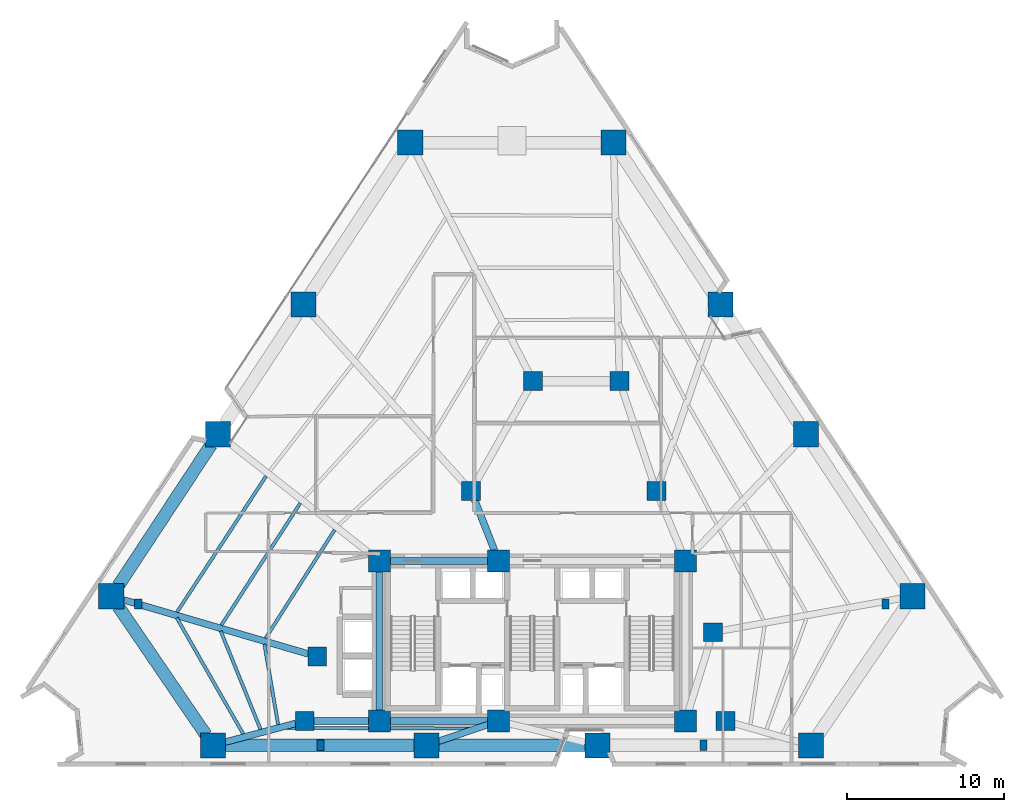
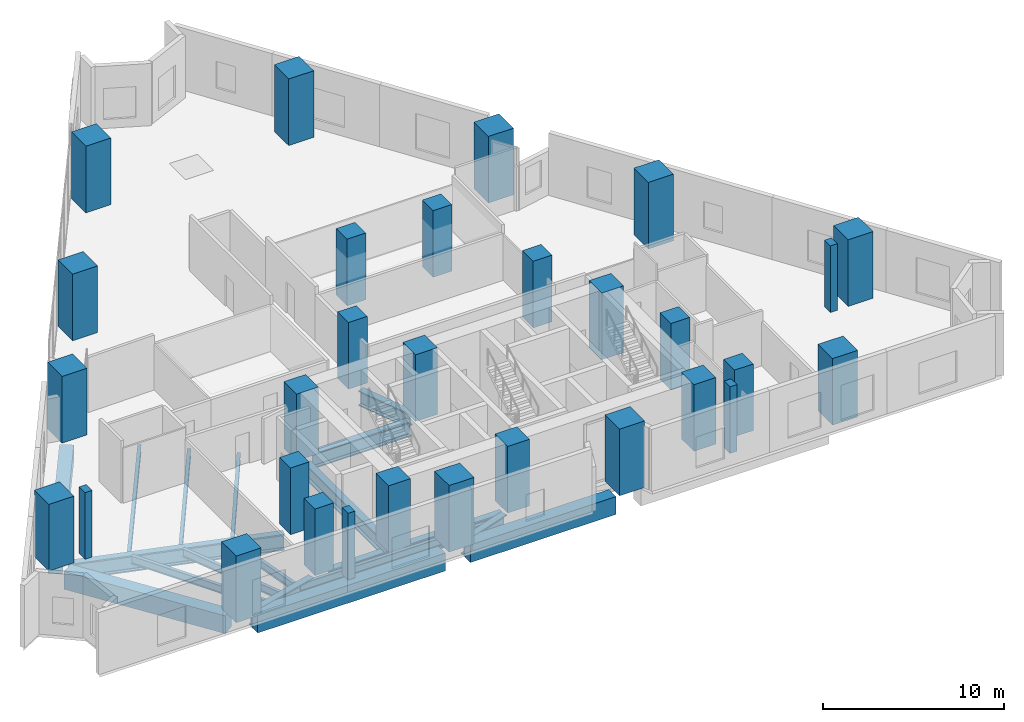
# One storey, part 1 of 12: 30 columns, 19 beams.
"""IFC4 building model written with IfcOpenShell, lengths in metres."""

from ifc_helpers import new_model, si_unit, direction, frame, origin, origin_2d, place, context, subcontext, project, spatial, rectangle, i_section, extrude, material, material_profile, profile_set, type_object, element, save


model = new_model("IFC4")

# Units and contexts
model_context = context("Model", 3, precision=1e-05, world=origin(), true_north=direction((0.0, 1.0)))
body_context = subcontext(model_context, "Body", "Model", "MODEL_VIEW")
ifc_project = project(units=[si_unit("LENGTHUNIT", "METRE"), si_unit("AREAUNIT", "SQUARE_METRE"), si_unit("VOLUMEUNIT", "CUBIC_METRE"), si_unit("PLANEANGLEUNIT", "RADIAN"), si_unit("MASSUNIT", "GRAM", prefix="KILO")], contexts=[model_context])

# Site, building, storey
site_placement = place(None, origin())
site = spatial("IfcSite", under=ifc_project, at=site_placement, CompositionType="ELEMENT")
building_placement = place(site_placement, origin())
building = spatial("IfcBuilding", under=site, at=building_placement, Name="Almagre Mirador Tower", CompositionType="ELEMENT")
storey_placement = place(building_placement, frame((0.0, 0.0, 17.39990234375)))
storey = spatial("IfcBuildingStorey", under=building, at=storey_placement, Name="L03", CompositionType="ELEMENT", Elevation=17.39990234375)

# Columns
ifc_material_1 = material(Name="Precast concrete C50/60", Category="concrete")
ifc_material_profile_1 = material_profile(ifc_material_1, rectangle(XDim=0.449951171875, YDim=0.64990234375, at=origin_2d()), Name="RC450X650")
ifc_profile_set_1 = profile_set([ifc_material_profile_1], Name="Precast concrete C50/60")
column_type_1 = type_object("IfcColumnType", Name="COL-PIL-450X650", PredefinedType="PILASTER", material=ifc_profile_set_1)
for number, where, z_axis, x_axis, name in (
    (1, (23.800048828125, 3.0, 0.0), (0.0, 0.0, 1.0), (1.0, 0.0, 0.0), "L03 expressed frame pilaster 01"),
    (2, (48.199951171875, 3.0, 0.0), (0.0, 0.0, 1.0), (1.0, 0.0, 0.0), "L03 expressed frame pilaster 02"),
    (3, (12.199951171875, 12.0, 0.0), (0.0, 0.0, 1.0), (1.0, 0.0, 0.0), "L03 expressed frame pilaster 03"),
    (4, (59.800048828125, 12.0, 0.0), (0.0, 0.0, 1.0), (1.0, 0.0, 0.0), "L03 expressed frame pilaster 04"),
):
    element("IfcColumn", number, at=place(storey_placement, frame(where, z_axis=z_axis, x_axis=x_axis)), inside=storey, type_object=column_type_1, Name=name, PredefinedType="PILASTER", context=body_context, shape_type="SweptSolid", body=[
        extrude(rectangle(XDim=0.449951171875, YDim=0.64990234375, at=origin_2d()), origin(), (0.0, 0.0, 1.0), 4.5),
    ])
ifc_material_2 = material(Name="Concrete C60/75", Category="concrete")
ifc_material_profile_2 = material_profile(ifc_material_2, rectangle(XDim=1.199951171875, YDim=1.199951171875, at=origin_2d()), Name="RC1200X1200")
ifc_profile_set_2 = profile_set([ifc_material_profile_2], Name="Concrete C60/75")
column_type_2 = type_object("IfcColumnType", Name="COL-RC1200", PredefinedType="COLUMN", material=ifc_profile_set_2)
for number, where, z_axis, x_axis, name in (
    (5, (22.800048828125, 4.550048828125, 0.0), (0.0, 0.0, 1.0), (1.0, 0.0, 0.0), "L03 interior transfer column MC1"),
    (6, (49.60009765625, 4.550048828125, 0.0), (0.0, 0.0, 1.0), (1.0, 0.0, 0.0), "L03 interior transfer column MC2"),
    (7, (48.800048828125, 10.199951171875, 0.0), (0.0, 0.0, 1.0), (1.0, 0.0, 0.0), "L03 interior transfer column MC3"),
    (8, (45.199951171875, 19.199951171875, 0.0), (0.0, 0.0, 1.0), (1.0, 0.0, 0.0), "L03 interior transfer column MC5"),
    (9, (42.85009765625, 26.199951171875, 0.0), (0.0, 0.0, 1.0), (1.0, 0.0, 0.0), "L03 interior transfer column MC6"),
    (10, (37.35009765625, 26.199951171875, 0.0), (0.0, 0.0, 1.0), (1.0, 0.0, 0.0), "L03 interior transfer column MC7"),
    (11, (33.39990234375, 19.199951171875, 0.0), (0.0, 0.0, 1.0), (1.0, 0.0, 0.0), "L03 interior transfer column MC8"),
    (12, (23.60009765625, 8.64990234375, 0.0), (0.0, 0.0, 1.0), (1.0, 0.0, 0.0), "L03 interior transfer column MC10"),
):
    element("IfcColumn", number, at=place(storey_placement, frame(where, z_axis=z_axis, x_axis=x_axis)), inside=storey, type_object=column_type_2, Name=name, PredefinedType="COLUMN", context=body_context, shape_type="SweptSolid", body=[
        extrude(rectangle(XDim=1.199951171875, YDim=1.199951171875, at=origin_2d()), origin(), (0.0, 0.0, 1.0), 4.5),
    ])
ifc_material_3 = material(Name="Concrete C60/75", Category="concrete")
ifc_material_profile_3 = material_profile(ifc_material_3, rectangle(XDim=1.39990234375, YDim=1.39990234375, at=origin_2d()), Name="RC1400X1400")
ifc_profile_set_3 = profile_set([ifc_material_profile_3], Name="Concrete C60/75")
column_type_3 = type_object("IfcColumnType", Name="COL-RC1400", PredefinedType="COLUMN", material=ifc_profile_set_3)
for number, where, z_axis, x_axis, name in (
    (13, (27.550048828125, 4.550048828125, 0.0), (0.0, 0.0, 1.0), (1.0, 0.0, 0.0), "L03 core spine column CC1"),
    (14, (35.14990234375, 4.550048828125, 0.0), (0.0, 0.0, 1.0), (1.0, 0.0, 0.0), "L03 core spine column CC2"),
    (15, (47.050048828125, 4.550048828125, 0.0), (0.0, 0.0, 1.0), (1.0, 0.0, 0.0), "L03 core spine column CC3"),
    (16, (27.550048828125, 14.75, 0.0), (0.0, 0.0, 1.0), (1.0, 0.0, 0.0), "L03 core spine column CC4"),
    (17, (35.14990234375, 14.75, 0.0), (0.0, 0.0, 1.0), (1.0, 0.0, 0.0), "L03 core spine column CC5"),
    (18, (47.050048828125, 14.75, 0.0), (0.0, 0.0, 1.0), (1.0, 0.0, 0.0), "L03 core spine column CC6"),
):
    element("IfcColumn", number, at=place(storey_placement, frame(where, z_axis=z_axis, x_axis=x_axis)), inside=storey, type_object=column_type_3, Name=name, PredefinedType="COLUMN", context=body_context, shape_type="SweptSolid", body=[
        extrude(rectangle(XDim=1.39990234375, YDim=1.39990234375, at=origin_2d()), origin(), (0.0, 0.0, 1.0), 4.5),
    ])
ifc_material_4 = material(Name="Concrete C70/85", Category="concrete")
ifc_material_profile_4 = material_profile(ifc_material_4, rectangle(XDim=1.60009765625, YDim=1.60009765625, at=origin_2d()), Name="RC1600X1600")
ifc_profile_set_4 = profile_set([ifc_material_profile_4], Name="Concrete C70/85")
column_type_4 = type_object("IfcColumnType", Name="COL-RC1600", PredefinedType="COLUMN", material=ifc_profile_set_4)
for number, where, z_axis, x_axis, name in (
    (19, (16.9599609375, 3.0, 0.0), (0.0, 0.0, 1.0), (1.0, 0.0, 0.0), "L03 perimeter column PC01"),
    (20, (30.56005859375, 3.0, 0.0), (0.0, 0.0, 1.0), (1.0, 0.0, 0.0), "L03 perimeter column PC02"),
    (21, (41.43994140625, 3.0, 0.0), (0.0, 0.0, 1.0), (1.0, 0.0, 0.0), "L03 perimeter column PC03"),
    (22, (55.0400390625, 3.0, 0.0), (0.0, 0.0, 1.0), (1.0, 0.0, 0.0), "L03 perimeter column PC04"),
    (23, (61.51806640625, 12.491943359375, 0.0), (0.0, 0.0, 1.0), (1.0, 0.0, 0.0), "L03 perimeter column PC05"),
    (24, (54.718017578125, 22.81201171875, 0.0), (0.0, 0.0, 1.0), (1.0, 0.0, 0.0), "L03 perimeter column PC06"),
    (25, (49.278076171875, 31.068115234375, 0.0), (0.0, 0.0, 1.0), (1.0, 0.0, 0.0), "L03 perimeter column PC07"),
    (26, (42.47802734375, 41.387939453125, 0.0), (0.0, 0.0, 1.0), (1.0, 0.0, 0.0), "L03 perimeter column PC08"),
    (27, (29.52197265625, 41.387939453125, 0.0), (0.0, 0.0, 1.0), (1.0, 0.0, 0.0), "L03 perimeter column PC09"),
    (28, (22.721923828125, 31.068115234375, 0.0), (0.0, 0.0, 1.0), (1.0, 0.0, 0.0), "L03 perimeter column PC10"),
    (29, (17.281982421875, 22.81201171875, 0.0), (0.0, 0.0, 1.0), (1.0, 0.0, 0.0), "L03 perimeter column PC11"),
    (30, (10.48193359375, 12.491943359375, 0.0), (0.0, 0.0, 1.0), (1.0, 0.0, 0.0), "L03 perimeter column PC12"),
):
    element("IfcColumn", number, at=place(storey_placement, frame(where, z_axis=z_axis, x_axis=x_axis)), inside=storey, type_object=column_type_4, Name=name, PredefinedType="COLUMN", context=body_context, shape_type="SweptSolid", body=[
        extrude(rectangle(XDim=1.60009765625, YDim=1.60009765625, at=origin_2d()), origin(), (0.0, 0.0, 1.0), 4.5),
    ])

# Beams
ifc_material_5 = material(Name="Steel ASTM A992 Grade 50", Category="steel")
ifc_material_profile_5 = material_profile(ifc_material_5, i_section(OverallWidth=0.208984375, OverallDepth=0.532958984375, WebThickness=0.01025390625, FlangeThickness=0.015625, FilletRadius=0.01806640625, at=origin_2d()), Name="W21X62")
ifc_profile_set_5 = profile_set([ifc_material_profile_5], Name="Steel ASTM A992 Grade 50")
beam_type_1 = type_object("IfcBeamType", Name="BM-JST-W21X62", PredefinedType="JOIST", material=ifc_profile_set_5)
beam_1_placement = place(storey_placement, frame((21.355224609375, 4.109619140625, -0.56640625), z_axis=(0.999994644337, -0.003272811963, 0.0), x_axis=(0.003272811963, 0.999994644337, 0.0)))
element("IfcBeam", 31, at=beam_1_placement, inside=storey, type_object=beam_type_1, Name="L03 secondary floor joist PC01-PC02.3", PredefinedType="JOIST", context=body_context, shape_type="SweptSolid", body=[
    extrude(i_section(OverallWidth=0.208984375, OverallDepth=0.532958984375, WebThickness=0.01025390625, FlangeThickness=0.015625, FilletRadius=0.01806640625, at=origin_2d()), origin(), (0.0, 0.0, 1.0), 12.1591796875),
])
beam_2_placement = place(storey_placement, frame((20.339599609375, 20.142578125, -0.56640625), z_axis=(-0.548057533709, -0.836440637311, 0.0), x_axis=(0.836440637311, -0.548057533709, 0.0)))
element("IfcBeam", 32, at=beam_2_placement, inside=storey, type_object=beam_type_1, Name="L03 secondary floor joist PC11-PC12.1", PredefinedType="JOIST", context=body_context, shape_type="SweptSolid", body=[
    extrude(i_section(OverallWidth=0.208984375, OverallDepth=0.532958984375, WebThickness=0.01025390625, FlangeThickness=0.015625, FilletRadius=0.01806640625, at=origin_2d()), origin(), (0.0, 0.0, 1.0), 10.35791015625),
])
beam_3_placement = place(storey_placement, frame((22.52197265625, 18.429443359375, -0.56640625), z_axis=(-0.543393311141, -0.839478236411, 0.0), x_axis=(0.839478236411, -0.543393311141, 0.0)))
element("IfcBeam", 33, at=beam_3_placement, inside=storey, type_object=beam_type_1, Name="L03 secondary floor joist PC11-PC12.2", PredefinedType="JOIST", context=body_context, shape_type="SweptSolid", body=[
    extrude(i_section(OverallWidth=0.208984375, OverallDepth=0.532958984375, WebThickness=0.01025390625, FlangeThickness=0.015625, FilletRadius=0.01806640625, at=origin_2d()), origin(), (0.0, 0.0, 1.0), 9.264892578125),
])
beam_4_placement = place(storey_placement, frame((24.704345703125, 16.716064453125, -0.56640625), z_axis=(-0.537470771292, -0.84328237857, 0.0), x_axis=(0.84328237857, -0.537470771292, 0.0)))
element("IfcBeam", 34, at=beam_4_placement, inside=storey, type_object=beam_type_1, Name="L03 secondary floor joist PC11-PC12.3", PredefinedType="JOIST", context=body_context, shape_type="SweptSolid", body=[
    extrude(i_section(OverallWidth=0.208984375, OverallDepth=0.532958984375, WebThickness=0.01025390625, FlangeThickness=0.015625, FilletRadius=0.01806640625, at=origin_2d()), origin(), (0.0, 0.0, 1.0), 8.171875),
])
beam_5_placement = place(storey_placement, frame((14.65185546875, 11.117431640625, -0.56640625), z_axis=(0.496743635229, -0.867897321611, 0.0), x_axis=(0.867897321611, 0.496743635229, 0.0)))
element("IfcBeam", 35, at=beam_5_placement, inside=storey, type_object=beam_type_1, Name="L03 secondary floor joist PC12-PC01.1", PredefinedType="JOIST", context=body_context, shape_type="SweptSolid", body=[
    extrude(i_section(OverallWidth=0.208984375, OverallDepth=0.532958984375, WebThickness=0.01025390625, FlangeThickness=0.015625, FilletRadius=0.01806640625, at=origin_2d()), origin(), (0.0, 0.0, 1.0), 8.520263671875),
])
beam_6_placement = place(storey_placement, frame((17.451904296875, 10.27734375, -0.56640625), z_axis=(0.375521248996, -0.926813784723, 0.0), x_axis=(0.926813784723, 0.375521248996, 0.0)))
element("IfcBeam", 36, at=beam_6_placement, inside=storey, type_object=beam_type_1, Name="L03 secondary floor joist PC12-PC01.2", PredefinedType="JOIST", context=body_context, shape_type="SweptSolid", body=[
    extrude(i_section(OverallWidth=0.208984375, OverallDepth=0.532958984375, WebThickness=0.01025390625, FlangeThickness=0.015625, FilletRadius=0.01806640625, at=origin_2d()), origin(), (0.0, 0.0, 1.0), 6.75048828125),
])
beam_7_placement = place(storey_placement, frame((20.23388671875, 9.437255859375, -0.56640625), z_axis=(0.16829423407, -0.985736806038, 0.0), x_axis=(0.985736806038, 0.16829423407, 0.0)))
element("IfcBeam", 37, at=beam_7_placement, inside=storey, type_object=beam_type_1, Name="L03 secondary floor joist PC12-PC01.3", PredefinedType="JOIST", context=body_context, shape_type="SweptSolid", body=[
    extrude(i_section(OverallWidth=0.208984375, OverallDepth=0.532958984375, WebThickness=0.01025390625, FlangeThickness=0.015625, FilletRadius=0.01806640625, at=origin_2d()), origin(), (0.0, 0.0, 1.0), 5.19189453125),
])
ifc_material_6 = material(Name="Precast concrete C50/60", Category="concrete")
ifc_material_profile_6 = material_profile(ifc_material_6, rectangle(XDim=0.800048828125, YDim=1.199951171875, at=origin_2d()), Name="RC800X1200")
ifc_profile_set_6 = profile_set([ifc_material_profile_6], Name="Precast concrete C50/60")
beam_type_2 = type_object("IfcBeamType", Name="BM-SPN-RC800X1200", PredefinedType="SPANDREL", material=ifc_profile_set_6)
beam_8_placement = place(storey_placement, frame((17.760009765625, 3.0, -0.89990234375), z_axis=(1.0, 0.0, 0.0), x_axis=(0.0, 1.0, 0.0)))
element("IfcBeam", 38, at=beam_8_placement, inside=storey, type_object=beam_type_2, Name="L03 perimeter spandrel beam PC01-PC02", PredefinedType="SPANDREL", context=body_context, shape_type="SweptSolid", body=[
    extrude(rectangle(XDim=0.800048828125, YDim=1.199951171875, at=origin_2d()), origin(), (0.0, 0.0, 1.0), 12.0),
])
beam_9_placement = place(storey_placement, frame((31.360107421875, 3.0, -0.89990234375), z_axis=(1.0, 0.0, 0.0), x_axis=(0.0, 1.0, 0.0)))
element("IfcBeam", 39, at=beam_9_placement, inside=storey, type_object=beam_type_2, Name="L03 perimeter spandrel beam PC02-PC03", PredefinedType="SPANDREL", context=body_context, shape_type="SweptSolid", body=[
    extrude(rectangle(XDim=0.800048828125, YDim=1.199951171875, at=origin_2d()), origin(), (0.0, 0.0, 1.0), 9.27978515625),
])
beam_10_placement = place(storey_placement, frame((16.841796875, 22.14404296875, -0.89990234375), z_axis=(-0.550204417923, -0.835029998562, 0.0), x_axis=(0.835029998562, -0.550204417923, 0.0)))
element("IfcBeam", 40, at=beam_10_placement, inside=storey, type_object=beam_type_2, Name="L03 perimeter spandrel beam PC11-PC12", PredefinedType="SPANDREL", context=body_context, shape_type="SweptSolid", body=[
    extrude(rectangle(XDim=0.800048828125, YDim=1.199951171875, at=origin_2d()), origin(), (0.0, 0.0, 1.0), 10.759033203125),
])
beam_11_placement = place(storey_placement, frame((10.93310546875, 11.831298828125, -0.89990234375), z_axis=(0.563695189414, -0.825982889309, 0.0), x_axis=(0.825982889309, 0.563695189414, 0.0)))
element("IfcBeam", 41, at=beam_11_placement, inside=storey, type_object=beam_type_2, Name="L03 perimeter spandrel beam PC12-PC01", PredefinedType="SPANDREL", context=body_context, shape_type="SweptSolid", body=[
    extrude(rectangle(XDim=0.800048828125, YDim=1.199951171875, at=origin_2d()), origin(), (0.0, 0.0, 1.0), 9.891845703125),
])
ifc_material_7 = material(Name="Steel ASTM A992 Grade 50", Category="steel")
ifc_material_profile_7 = material_profile(ifc_material_7, i_section(OverallWidth=0.43701171875, OverallDepth=1.010986328125, WebThickness=0.041015625, FlangeThickness=0.073974609375, FilletRadius=0.028076171875, at=origin_2d()), Name="W36X529")
ifc_profile_set_7 = profile_set([ifc_material_profile_7], Name="Steel ASTM A992 Grade 50")
beam_type_3 = type_object("IfcBeamType", Name="BM-STL-W36X529", PredefinedType="BEAM", material=ifc_profile_set_7)
for number, where, z_axis, x_axis, name in (
    (42, (28.25, 4.550048828125, -0.805419921875), (1.0, 0.0, 0.0), (0.0, 1.0, 0.0), "L03 core tie girder CC1-CC2"),
    (43, (28.25, 14.75, -0.805419921875), (1.0, 0.0, 0.0), (0.0, 1.0, 0.0), "L03 core tie girder CC4-CC5"),
):
    element("IfcBeam", number, at=place(storey_placement, frame(where, z_axis=z_axis, x_axis=x_axis)), inside=storey, type_object=beam_type_3, Name=name, PredefinedType="BEAM", context=body_context, shape_type="SweptSolid", body=[
        extrude(i_section(OverallWidth=0.43701171875, OverallDepth=1.010986328125, WebThickness=0.041015625, FlangeThickness=0.073974609375, FilletRadius=0.028076171875, at=origin_2d()), origin(), (0.0, 0.0, 1.0), 6.199951171875),
    ])
beam_12_placement = place(storey_placement, frame((27.550048828125, 5.25, -0.805419921875), z_axis=(0.0, 1.0, 0.0), x_axis=(-1.0, 0.0, 0.0)))
element("IfcBeam", 44, at=beam_12_placement, inside=storey, type_object=beam_type_3, Name="L03 core tie girder CC1-CC4", PredefinedType="BEAM", context=body_context, shape_type="SweptSolid", body=[
    extrude(i_section(OverallWidth=0.43701171875, OverallDepth=1.010986328125, WebThickness=0.041015625, FlangeThickness=0.073974609375, FilletRadius=0.028076171875, at=origin_2d()), origin(), (0.0, 0.0, 1.0), 8.800048828125),
])
beam_13_placement = place(storey_placement, frame((23.39990234375, 4.550048828125, -0.805419921875), z_axis=(1.0, 0.0, 0.0), x_axis=(0.0, 1.0, 0.0)))
element("IfcBeam", 45, at=beam_13_placement, inside=storey, type_object=beam_type_3, Name="L03 core tie girder MC1-CC1", PredefinedType="BEAM", context=body_context, shape_type="SweptSolid", body=[
    extrude(i_section(OverallWidth=0.43701171875, OverallDepth=1.010986328125, WebThickness=0.041015625, FlangeThickness=0.073974609375, FilletRadius=0.028076171875, at=origin_2d()), origin(), (0.0, 0.0, 1.0), 3.4501953125),
])
beam_14_placement = place(storey_placement, frame((33.61962890625, 18.6416015625, -0.805419921875), z_axis=(0.365956076985, -0.93063212373, 0.0), x_axis=(0.93063212373, 0.365956076985, 0.0)))
element("IfcBeam", 46, at=beam_14_placement, inside=storey, type_object=beam_type_3, Name="L03 core tie girder MC8-CC5", PredefinedType="BEAM", context=body_context, shape_type="SweptSolid", body=[
    extrude(i_section(OverallWidth=0.43701171875, OverallDepth=1.010986328125, WebThickness=0.041015625, FlangeThickness=0.073974609375, FilletRadius=0.028076171875, at=origin_2d()), origin(), (0.0, 0.0, 1.0), 3.481689453125),
])
ifc_material_8 = material(Name="Steel ASTM A913 Grade 65", Category="steel")
ifc_material_profile_8 = material_profile(ifc_material_8, i_section(OverallWidth=0.424072265625, OverallDepth=1.092041015625, WebThickness=0.04541015625, FlangeThickness=0.08203125, FilletRadius=0.030029296875, at=origin_2d()), Name="W40X593")
ifc_profile_set_8 = profile_set([ifc_material_profile_8], Name="Steel ASTM A913 Grade 65")
beam_type_4 = type_object("IfcBeamType", Name="BM-STL-W40X593", PredefinedType="BEAM", material=ifc_profile_set_8)
beam_15_placement = place(storey_placement, frame((17.733154296875, 3.205078125, -0.845947265625), z_axis=(0.966536281721, 0.256529951697, 0.0), x_axis=(-0.256529951697, 0.966536281721, 0.0)))
element("IfcBeam", 47, at=beam_15_placement, inside=storey, type_object=beam_type_4, Name="L03 radial floor girder PC01-MC1", PredefinedType="BEAM", context=body_context, shape_type="SweptSolid", body=[
    extrude(i_section(OverallWidth=0.424072265625, OverallDepth=1.092041015625, WebThickness=0.04541015625, FlangeThickness=0.08203125, FilletRadius=0.030029296875, at=origin_2d()), origin(), (0.0, 0.0, 1.0), 4.642333984375),
])
beam_16_placement = place(storey_placement, frame((31.318115234375, 3.256103515625, -0.845947265625), z_axis=(0.947457161142, 0.319882678182, 0.0), x_axis=(-0.319882678182, 0.947457161142, 0.0)))
element("IfcBeam", 48, at=beam_16_placement, inside=storey, type_object=beam_type_4, Name="L03 radial floor girder PC02-CC2", PredefinedType="BEAM", context=body_context, shape_type="SweptSolid", body=[
    extrude(i_section(OverallWidth=0.424072265625, OverallDepth=1.092041015625, WebThickness=0.04541015625, FlangeThickness=0.08203125, FilletRadius=0.030029296875, at=origin_2d()), origin(), (0.0, 0.0, 1.0), 3.344482421875),
])
beam_17_placement = place(storey_placement, frame((11.249755859375, 12.26708984375, -0.845947265625), z_axis=(0.959686493559, -0.281072649115, 0.0), x_axis=(0.281072649115, 0.959686493559, 0.0)))
element("IfcBeam", 49, at=beam_17_placement, inside=storey, type_object=beam_type_4, Name="L03 radial floor girder PC12-MC10", PredefinedType="BEAM", context=body_context, shape_type="SweptSolid", body=[
    extrude(i_section(OverallWidth=0.424072265625, OverallDepth=1.092041015625, WebThickness=0.04541015625, FlangeThickness=0.08203125, FilletRadius=0.030029296875, at=origin_2d()), origin(), (0.0, 0.0, 1.0), 12.26904296875),
])

save(model, "model.ifc")
